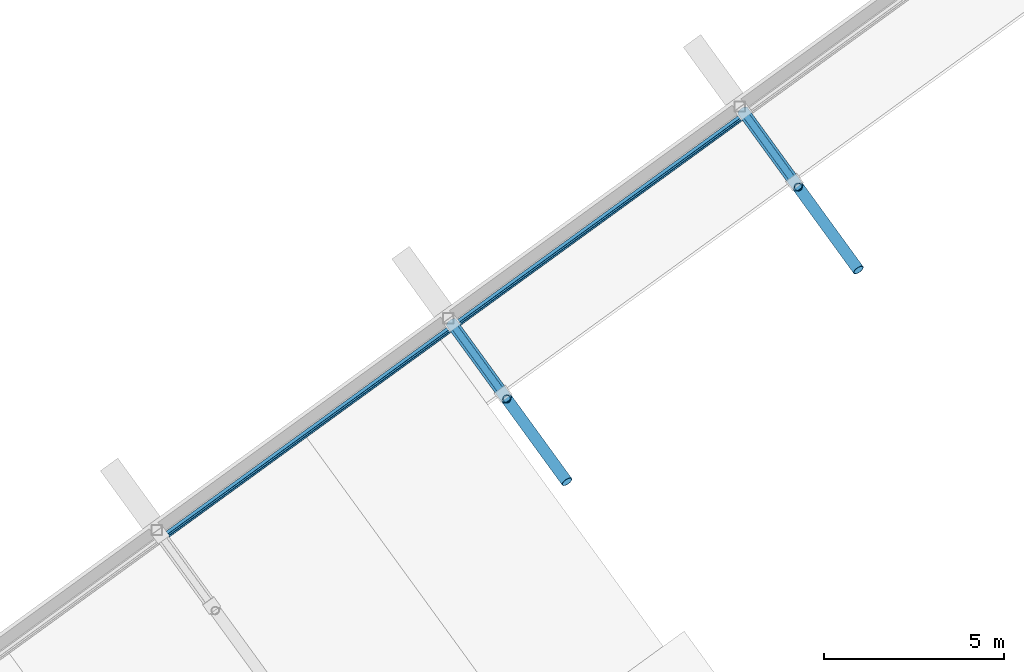
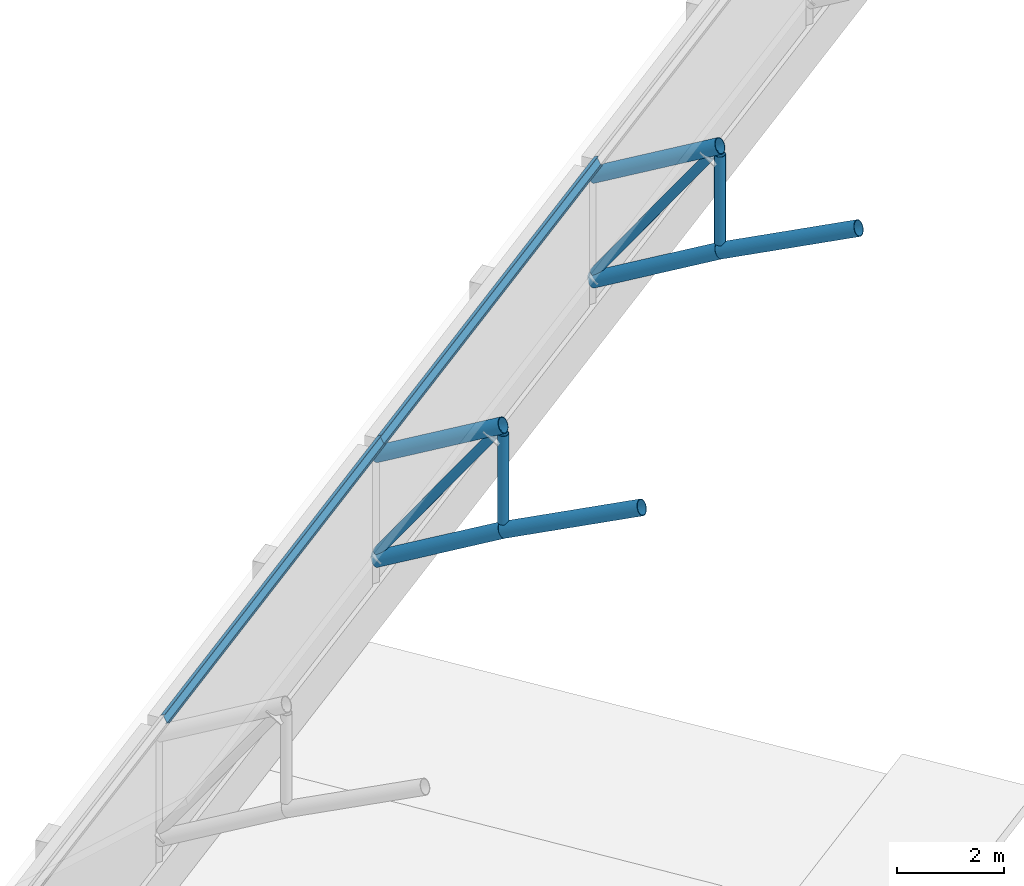
# One storey, part 97 of 196: 10 members, 2 beams.
"""IFC4 building model written with IfcOpenShell, lengths in metres."""

from ifc_helpers import new_model, si_unit, direction, frame, origin, origin_2d, place, context, subcontext, project, spatial, hollow_circle, i_section, extrude, material, material_profile, profile_set, type_object, element, save


model = new_model("IFC4")

# Units and contexts
model_context = context("Model", 3, precision=1e-05, world=origin(), true_north=direction((0.0, 1.0)))
body_context = subcontext(model_context, "Body", "Model", "MODEL_VIEW")
ifc_project = project(units=[si_unit("LENGTHUNIT", "METRE"), si_unit("AREAUNIT", "SQUARE_METRE"), si_unit("VOLUMEUNIT", "CUBIC_METRE"), si_unit("PLANEANGLEUNIT", "RADIAN"), si_unit("MASSUNIT", "GRAM", prefix="KILO")], contexts=[model_context])

# Site, building, storey
site_placement = place(None, origin())
site = spatial("IfcSite", under=ifc_project, at=site_placement, CompositionType="ELEMENT")
building_placement = place(site_placement, origin())
building = spatial("IfcBuilding", under=site, at=building_placement, Name="Okhra Congress Centre", CompositionType="ELEMENT")
storey_placement = place(building_placement, frame((0.0, 0.0, 12.0)))
storey = spatial("IfcBuildingStorey", under=building, at=storey_placement, Name="L02", CompositionType="ELEMENT", Elevation=12.0)

# Members
ifc_material_1 = material(Name="Steel S355J2H", Category="steel")
ifc_material_profile_1 = material_profile(ifc_material_1, hollow_circle(Radius=0.096923828125, WallThickness=0.010009765625, at=origin_2d()), Name="CHS 193.7x10")
ifc_profile_set_1 = profile_set([ifc_material_profile_1], Name="Steel S355J2H")
member_type_1 = type_object("IfcMemberType", Name="CHS 193.7x10", PredefinedType="BRACE", material=ifc_profile_set_1)
for number, where, z_axis, x_axis, name in (
    (1, (214.357177734375, 211.404541015625, 1.705810546875), (0.340493544996, -0.468635010563, 0.815135186758), (0.809008555592, 0.587796867106, 0.0), "Truss 3 diagonal 18"),
    (2, (222.447509765625, 217.282470703125, 1.705810546875), (0.340441482182, -0.468644406713, 0.815151530248), (0.809056898295, 0.587730325338, 0.0), "Truss 4 diagonal 18"),
):
    element("IfcMember", number, at=place(storey_placement, frame(where, z_axis=z_axis, x_axis=x_axis)), inside=storey, type_object=member_type_1, Name=name, PredefinedType="BRACE", context=body_context, shape_type="SweptSolid", body=[
        extrude(hollow_circle(Radius=0.096923828125, WallThickness=0.010009765625, at=origin_2d()), origin(), (0.0, 0.0, 1.0), 4.145751953125),
    ])
ifc_material_profile_2 = material_profile(ifc_material_1, hollow_circle(Radius=0.109619140625, WallThickness=0.008056640625, at=origin_2d()), Name="CHS 219.1x8")
ifc_profile_set_2 = profile_set([ifc_material_profile_2], Name="Steel S355J2H")
member_type_2 = type_object("IfcMemberType", Name="CHS 219.1x8", PredefinedType="POST", material=ifc_profile_set_2)
for number, where, z_axis, x_axis, name in (
    (3, (215.87548828125, 209.314697265625, 3.1240234375), (0.0, 0.0, 1.0), (1.0, 0.0, 0.0), "Truss 3 post 17"),
    (4, (223.9658203125, 215.192626953125, 3.1240234375), (0.0, 0.0, 1.0), (1.0, 0.0, 0.0), "Truss 4 post 17"),
):
    element("IfcMember", number, at=place(storey_placement, frame(where, z_axis=z_axis, x_axis=x_axis)), inside=storey, type_object=member_type_2, Name=name, PredefinedType="POST", context=body_context, shape_type="SweptSolid", body=[
        extrude(hollow_circle(Radius=0.109619140625, WallThickness=0.008056640625, at=origin_2d()), origin(), (0.0, 0.0, 1.0), 2.033447265625),
    ])
ifc_material_profile_3 = material_profile(ifc_material_1, hollow_circle(Radius=0.161865234375, WallThickness=0.012451171875, at=origin_2d()), Name="CHS 323.9x12.5")
ifc_profile_set_3 = profile_set([ifc_material_profile_3], Name="Steel S355J2H")
member_type_3 = type_object("IfcMemberType", Name="CHS 323.9x12.5", PredefinedType="CHORD", material=ifc_profile_set_3)
member_1_placement = place(storey_placement, frame((217.548828125, 207.011474609375, 4.268310546875), z_axis=(-0.532696866834, 0.733215967568, -0.422644523175), x_axis=(-0.809025240298, -0.587773902586, 0.0)))
element("IfcMember", 5, at=member_1_placement, inside=storey, type_object=member_type_3, Name="Truss 3 bottom chord 17", PredefinedType="CHORD", context=body_context, shape_type="SweptSolid", body=[
    extrude(hollow_circle(Radius=0.161865234375, WallThickness=0.012451171875, at=origin_2d()), origin(), (0.0, 0.0, 1.0), 3.141357421875),
])
for number, where, z_axis, x_axis, name in (
    (6, (215.87548828125, 209.314697265625, 2.940673828125), (-0.517341175143, 0.71211458024, -0.474606082041), (-0.809038794154, -0.587755246301, 0.0), "Truss 3 bottom chord 18"),
    (7, (215.87548828125, 209.314697265625, 5.3408203125), (-0.517341175143, 0.71211458024, -0.474606082041), (-0.809038794154, -0.587755246301, 0.0), "Truss 3 top chord 18"),
):
    element("IfcMember", number, at=place(storey_placement, frame(where, z_axis=z_axis, x_axis=x_axis)), inside=storey, type_object=member_type_3, Name=name, PredefinedType="CHORD", context=body_context, shape_type="SweptSolid", body=[
        extrude(hollow_circle(Radius=0.161865234375, WallThickness=0.012451171875, at=origin_2d()), origin(), (0.0, 0.0, 1.0), 2.970703125),
    ])
member_2_placement = place(storey_placement, frame((225.63916015625, 212.889404296875, 4.268310546875), z_axis=(-0.532696866834, 0.733215967568, -0.422644523175), x_axis=(-0.809025240298, -0.587773902586, 0.0)))
element("IfcMember", 8, at=member_2_placement, inside=storey, type_object=member_type_3, Name="Truss 4 bottom chord 17", PredefinedType="CHORD", context=body_context, shape_type="SweptSolid", body=[
    extrude(hollow_circle(Radius=0.161865234375, WallThickness=0.012451171875, at=origin_2d()), origin(), (0.0, 0.0, 1.0), 3.141357421875),
])
for number, where, z_axis, x_axis, name in (
    (9, (223.9658203125, 215.192626953125, 2.940673828125), (-0.517401358597, 0.712084303088, -0.474585903097), (-0.808994395952, -0.587816355096, 0.0), "Truss 4 bottom chord 18"),
    (10, (223.9658203125, 215.192626953125, 5.3408203125), (-0.517401358597, 0.712084303088, -0.474585903097), (-0.808994395952, -0.587816355096, 0.0), "Truss 4 top chord 18"),
):
    element("IfcMember", number, at=place(storey_placement, frame(where, z_axis=z_axis, x_axis=x_axis)), inside=storey, type_object=member_type_3, Name=name, PredefinedType="CHORD", context=body_context, shape_type="SweptSolid", body=[
        extrude(hollow_circle(Radius=0.161865234375, WallThickness=0.012451171875, at=origin_2d()), origin(), (0.0, 0.0, 1.0), 2.970947265625),
    ])

# Beams
ifc_material_2 = material(Name="Steel S355J2", Category="steel")
ifc_material_profile_4 = material_profile(ifc_material_2, i_section(OverallWidth=0.10009765625, OverallDepth=0.199951171875, WebThickness=0.005615234375, FlangeThickness=0.008544921875, FilletRadius=0.011962890625, at=origin_2d()), Name="IPE 200")
ifc_profile_set_4 = profile_set([ifc_material_profile_4], Name="Steel S355J2")
beam_type = type_object("IfcBeamType", Name="IPE 200", PredefinedType="BEAM", material=ifc_profile_set_4)
for number, where, z_axis, x_axis, name in (
    (11, (206.32080078125, 205.45263671875, 4.29150390625), (0.809010490052, 0.58779420462, 0.0), (-0.517377276636, 0.712092158826, -0.474600369743), "Purlin 19.110"),
    (12, (214.410888671875, 211.33056640625, 4.29150390625), (0.809030534284, 0.587766615755, 0.0), (-0.517352992878, 0.712109801786, -0.474600369743), "Purlin 19.111"),
):
    element("IfcBeam", number, at=place(storey_placement, frame(where, z_axis=z_axis, x_axis=x_axis)), inside=storey, type_object=beam_type, Name=name, PredefinedType="BEAM", context=body_context, shape_type="SweptSolid", body=[
        extrude(i_section(OverallWidth=0.10009765625, OverallDepth=0.199951171875, WebThickness=0.005615234375, FlangeThickness=0.008544921875, FilletRadius=0.011962890625, at=origin_2d()), origin(), (0.0, 0.0, 1.0), 10.0),
    ])

save(model, "model.ifc")
